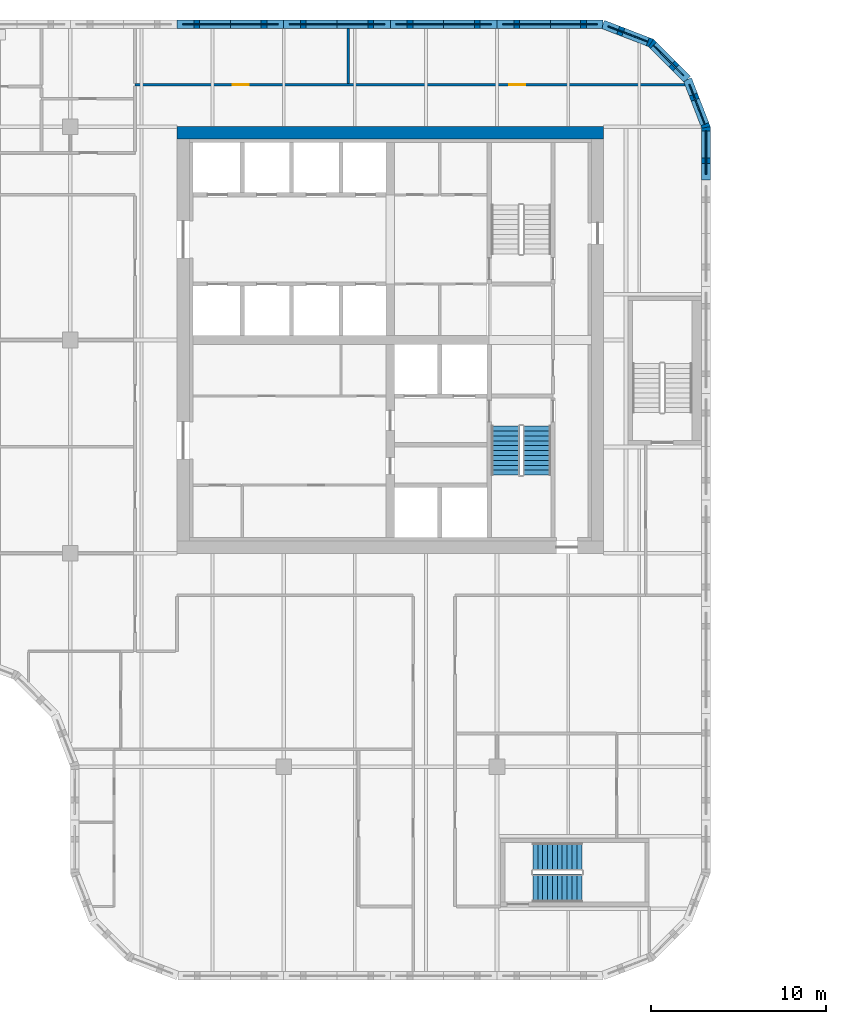
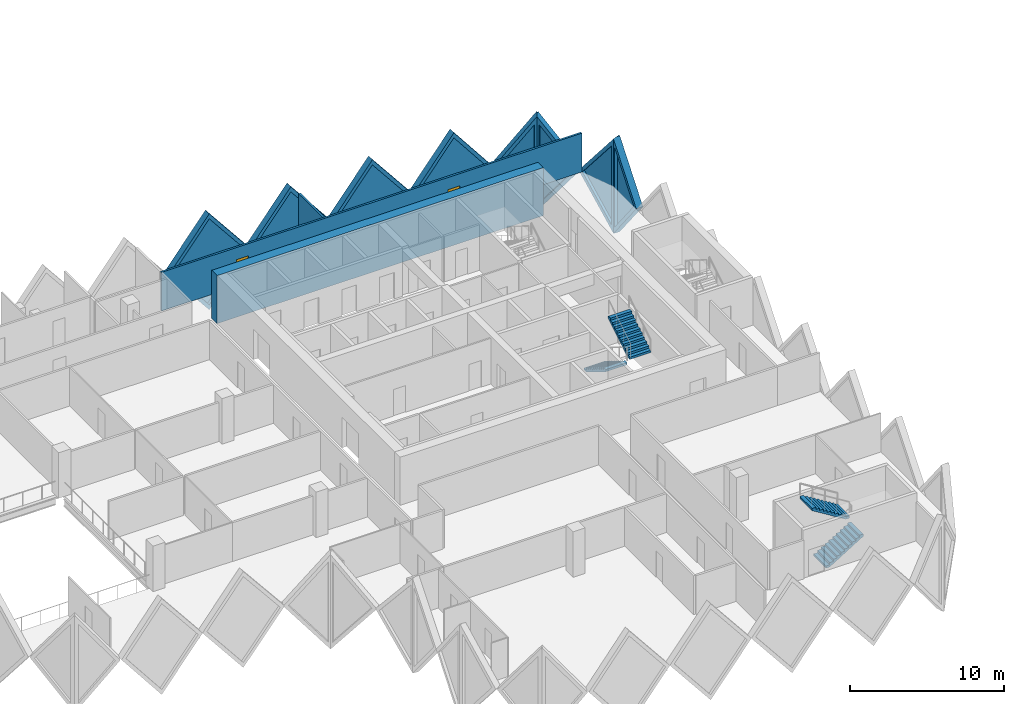
# One storey, part 10 of 13: 11 walls, 8 plates, 4 stair flights, 2 doors, 10 openings, 2 elements without a shape of their own.
"""IFC4 building model written with IfcOpenShell, lengths in metres."""

from ifc_helpers import new_model, si_unit, direction, frame, frame_2d, origin, place, context, subcontext, project, spatial, polyline, rectangle, outline, extrude, faceted_brep, source, transform, mapped, material, layer, layer_set, type_object, element, fill, aggregate, save


model = new_model("IFC4")

# Units and contexts
model_context = context("Model", 3, precision=1e-05, world=origin(), true_north=direction((0.0, 1.0)))
body_context = subcontext(model_context, "Body", "Model", "MODEL_VIEW")
ifc_project = project(units=[si_unit("LENGTHUNIT", "METRE"), si_unit("AREAUNIT", "SQUARE_METRE"), si_unit("VOLUMEUNIT", "CUBIC_METRE"), si_unit("PLANEANGLEUNIT", "RADIAN"), si_unit("MASSUNIT", "GRAM", prefix="KILO")], contexts=[model_context])

# Site, building, storey
site_placement = place(None, origin())
site = spatial("IfcSite", under=ifc_project, at=site_placement, CompositionType="ELEMENT")
building_placement = place(site_placement, origin())
building = spatial("IfcBuilding", under=site, at=building_placement, Name="Tessera Gate Towers", CompositionType="ELEMENT")
storey_placement = place(building_placement, frame((0.0, 0.0, 116.39990234375)))
storey = spatial("IfcBuildingStorey", under=building, at=storey_placement, Name="L28", CompositionType="ELEMENT", Elevation=116.39990234375)

# Wall
ifc_material_1 = material(Name="Concrete C60/75", Category="concrete")
ifc_layer_1 = layer(ifc_material_1, 0.699951171875)
ifc_layer_set_1 = layer_set([ifc_layer_1], Name="CORE SHEAR WALL 700 C60/75")
wall_type_1 = type_object("IfcWallType", Name="CORE SHEAR WALL 700 C60/75", PredefinedType="SHEAR", material=ifc_layer_set_1)
wall_1_placement = place(storey_placement, frame((30.5, 48.449951171875, 0.0), z_axis=(0.0, 0.0, 1.0), x_axis=(1.0, 0.0, 0.0)))
element("IfcWall", 1, at=wall_1_placement, inside=storey, type_object=wall_type_1, Name="Core wall N L28", PredefinedType="SHEAR", context=body_context, shape_type="SweptSolid", body=[
    extrude(rectangle(XDim=24.39990234375, YDim=0.699951171875, at=frame_2d((12.199951171875, 0.0))), origin(), (0.0, 0.0, 1.0), 3.800048828125),
])

# Wall, openings, doors
ifc_material_2 = material(Name="Gypsum board on steel studs, mineral wool", Category="steel")
ifc_layer_2 = layer(ifc_material_2, 0.14990234375)
ifc_layer_set_2 = layer_set([ifc_layer_2], Name="CORRIDOR WALL 150")
wall_type_2 = type_object("IfcWallType", Name="CORRIDOR WALL 150", PredefinedType="PARTITIONING", material=ifc_layer_set_2)
wall_2_placement = place(storey_placement, frame((28.10009765625, 51.199951171875, 0.0), z_axis=(0.0, 0.0, 1.0), x_axis=(1.0, 0.0, 0.0)))
wall_2 = element("IfcWall", 2, at=wall_2_placement, inside=storey, type_object=wall_type_2, Name="T1-L28-PW-055", PredefinedType="PARTITIONING", context=body_context, shape_type="SweptSolid", body=[
    extrude(rectangle(XDim=31.438232421875, YDim=0.14990234375, at=frame_2d((15.71923828125, 0.0))), origin(), (0.0, 0.0, 1.0), 3.067138671875),
])
shared_shape_1 = source(origin(), body_context, "Body", "SweptSolid", [
    extrude(rectangle(XDim=0.89990234375, YDim=2.10009765625, at=frame_2d((0.449951171875, 1.050048828125))), frame((0.0, 0.0849609375, 0.0), z_axis=(0.0, -1.0, 0.0), x_axis=(1.0, 0.0, 0.0)), (0.0, 0.0, 1.0), 0.169921875),
])
opening_1_placement = place(wall_2_placement, frame((5.60009765625, 0.0, 0.0)))
opening_1 = element("IfcOpeningElement", 3, at=opening_1_placement, cuts=wall_2, Name="Opening D890FD60-A10-08", PredefinedType="OPENING", context=body_context, shape_type="MappedRepresentation", body=[
    mapped(shared_shape_1, transform((0.0, 0.0, 0.0), scale=1.0)),
])
opening_2_placement = place(wall_2_placement, frame((21.39990234375, 0.0, 0.0)))
opening_2 = element("IfcOpeningElement", 4, at=opening_2_placement, cuts=wall_2, Name="Opening D890FD60-A10-09", PredefinedType="OPENING", context=body_context, shape_type="MappedRepresentation", body=[
    mapped(shared_shape_1, transform((0.0, 0.0, 0.0), scale=1.0)),
])
ifc_material_3 = material(Name="Timber door leaf in steel frame", Category="steel")
door_type = type_object("IfcDoorType", Name="CORRIDOR DOOR 900 FD60", OperationType="NOTDEFINED", PredefinedType="DOOR", material=ifc_material_3)
shared_shape_2 = source(origin(), body_context, "Body", "SweptSolid", [
    extrude(rectangle(XDim=0.89990234375, YDim=2.10009765625, at=frame_2d((0.449951171875, 1.050048828125))), frame((0.0, 0.02490234375, 0.0), z_axis=(0.0, -1.0, 0.0), x_axis=(1.0, 0.0, 0.0)), (0.0, 0.0, 1.0), 0.050048828125),
])
door_1_placement = place(opening_1_placement, origin())
door_1 = element("IfcDoor", 5, at=door_1_placement, inside=storey, type_object=door_type, Name="T1-L28-PD-027", OperationType="SINGLE_SWING_LEFT", OverallHeight=2.10009765625, OverallWidth=0.89990234375, PredefinedType="DOOR", context=body_context, shape_type="MappedRepresentation", body=[
    mapped(shared_shape_2, transform((0.0, 0.0, 0.0), scale=1.0)),
])
fill(opening_1, door_1)
door_2_placement = place(opening_2_placement, origin())
door_2 = element("IfcDoor", 6, at=door_2_placement, inside=storey, type_object=door_type, Name="T1-L28-PD-028", OperationType="SINGLE_SWING_LEFT", OverallHeight=2.10009765625, OverallWidth=0.89990234375, PredefinedType="DOOR", context=body_context, shape_type="MappedRepresentation", body=[
    mapped(shared_shape_2, transform((0.0, 0.0, 0.0), scale=1.0)),
])
fill(opening_2, door_2)

# Wall
ifc_material_4 = material(Name="Gypsum board on steel studs, mineral wool", Category="steel")
ifc_layer_3 = layer(ifc_material_4, 0.14990234375)
ifc_layer_set_3 = layer_set([ifc_layer_3], Name="TENANCY WALL 150")
wall_type_3 = type_object("IfcWallType", Name="TENANCY WALL 150", PredefinedType="PARTITIONING", material=ifc_layer_set_3)
wall_3_placement = place(storey_placement, frame((40.300048828125, 51.27587890625, 0.0), z_axis=(0.0, 0.0, 1.0), x_axis=(0.0, 1.0, 0.0)))
element("IfcWall", 7, at=wall_3_placement, inside=storey, type_object=wall_type_3, Name="T1-L28-PW-057", PredefinedType="PARTITIONING", context=body_context, shape_type="SweptSolid", body=[
    extrude(rectangle(XDim=3.1240234375, YDim=0.14990234375, at=frame_2d((1.56201171875, 0.0))), origin(), (0.0, 0.0, 1.0), 3.067138671875),
])

# Wall, opening, plate
ifc_material_5 = material(Name="Precast concrete C60/75 white", Category="concrete")
ifc_layer_4 = layer(ifc_material_5, 0.5)
ifc_layer_set_4 = layer_set([ifc_layer_4], Name="TS1 tessera")
wall_type_4 = type_object("IfcWallType", Name="TS1 tessera", PredefinedType="SOLIDWALL", material=ifc_layer_set_4)
shared_shape_3 = source(origin(), body_context, "Body", "Brep", [
    faceted_brep([(3.050048828125, -0.25, 0.0), (6.099853515625, -0.25, 3.799560546875), (6.099853515625, -0.25, 3.800048828125), (3.050048828125, -0.25, 7.599853515625), (0.0, -0.25, 3.7998046875), (0.0, 0.25, 3.7998046875), (3.050048828125, 0.25, 7.599853515625), (6.099853515625, 0.25, 3.800048828125), (6.099853515625, 0.25, 3.799560546875), (3.050048828125, 0.25, 0.0)], [[[0, 1, 2, 3, 4]], [[5, 6, 7, 8, 9]], [[9, 8, 1, 0]], [[7, 6, 3, 2]], [[6, 5, 4, 3]], [[5, 9, 0, 4]], [[1, 8, 7, 2]]]),
])
wall_4_placement = place(storey_placement, frame((42.699951171875, 54.64990234375, -3.7998046875), z_axis=(0.0, 0.0, 1.0), x_axis=(-1.0, 0.0, 0.0)))
wall_4 = element("IfcWall", 8, at=wall_4_placement, inside=storey, type_object=wall_type_4, Name="Precast tessera T1 TS1-0449", PredefinedType="SOLIDWALL", context=body_context, shape_type="MappedRepresentation", body=[
    mapped(shared_shape_3, transform((0.0, 0.0, 0.0), scale=1.0)),
])
shared_shape_4 = source(origin(), body_context, "Body", "SweptSolid", [
    extrude(outline(polyline([(3.050048828125, 0.3994140625), (5.779541015625, 3.7998046875), (3.050048828125, 7.200439453125), (0.320556640625, 3.7998046875), (3.050048828125, 0.3994140625)])), frame((0.0, 0.260009765625, 0.0), z_axis=(0.0, -1.0, 0.0), x_axis=(1.0, 0.0, 0.0)), (0.0, 0.0, 1.0), 0.52001953125),
])
opening_3_placement = place(wall_4_placement, origin())
opening_3 = element("IfcOpeningElement", 9, at=opening_3_placement, cuts=wall_4, Name="Opening T1-PL2-0913", PredefinedType="OPENING", context=body_context, shape_type="MappedRepresentation", body=[
    mapped(shared_shape_4, transform((0.0, 0.0, 0.0), scale=1.0)),
])
ifc_material_6 = material(Name="Low-e laminated glass", Category="glass")
ifc_layer_5 = layer(ifc_material_6, 0.06005859375)
ifc_layer_set_5 = layer_set([ifc_layer_5], Name="PL2 rhombic pane")
plate_type = type_object("IfcPlateType", Name="PL2 rhombic pane", PredefinedType="SHEET", material=ifc_layer_set_5)
shared_shape_5 = source(origin(), body_context, "Body", "SweptSolid", [
    extrude(outline(polyline([(3.050048828125, 0.3994140625), (5.779541015625, 3.7998046875), (3.050048828125, 7.200439453125), (0.320556640625, 3.7998046875), (3.050048828125, 0.3994140625)])), frame((0.0, 0.030029296875, 0.0), z_axis=(0.0, -1.0, 0.0), x_axis=(1.0, 0.0, 0.0)), (0.0, 0.0, 1.0), 0.06005859375),
])
plate_1_placement = place(opening_3_placement, origin())
plate_1 = element("IfcPlate", 10, at=plate_1_placement, inside=storey, type_object=plate_type, Name="Glass pane T1 PL2-0913", PredefinedType="SHEET", context=body_context, shape_type="MappedRepresentation", body=[
    mapped(shared_shape_5, transform((0.0, 0.0, 0.0), scale=1.0)),
])
fill(opening_3, plate_1)

shared_shape_6 = source(origin(), body_context, "Body", "SweptSolid", [
    extrude(outline(polyline([(3.050048828125, 0.0), (6.10009765625, 3.7998046875), (3.050048828125, 7.599853515625), (0.0, 3.7998046875), (3.050048828125, 0.0)])), frame((0.0, 0.25, 0.0), z_axis=(0.0, -1.0, 0.0), x_axis=(1.0, 0.0, 0.0)), (0.0, 0.0, 1.0), 0.5),
])
wall_5_placement = place(storey_placement, frame((48.800048828125, 54.64990234375, -3.7998046875), z_axis=(0.0, 0.0, 1.0), x_axis=(-1.0, 0.0, 0.0)))
wall_5 = element("IfcWall", 11, at=wall_5_placement, inside=storey, type_object=wall_type_4, Name="Precast tessera T1 TS1-0448", PredefinedType="SOLIDWALL", context=body_context, shape_type="MappedRepresentation", body=[
    mapped(shared_shape_6, transform((0.0, 0.0, 0.0), scale=1.0)),
])
opening_4_placement = place(wall_5_placement, origin())
opening_4 = element("IfcOpeningElement", 12, at=opening_4_placement, cuts=wall_5, Name="Opening T1-PL2-0912", PredefinedType="OPENING", context=body_context, shape_type="MappedRepresentation", body=[
    mapped(shared_shape_4, transform((0.0, 0.0, 0.0), scale=1.0)),
])
plate_2_placement = place(opening_4_placement, origin())
plate_2 = element("IfcPlate", 13, at=plate_2_placement, inside=storey, type_object=plate_type, Name="Glass pane T1 PL2-0912", PredefinedType="SHEET", context=body_context, shape_type="MappedRepresentation", body=[
    mapped(shared_shape_5, transform((0.0, 0.0, 0.0), scale=1.0)),
])
fill(opening_4, plate_2)

wall_6_placement = place(storey_placement, frame((36.60009765625, 54.64990234375, -3.7998046875), z_axis=(0.0, 0.0, 1.0), x_axis=(-1.0, 0.0, 0.0)))
wall_6 = element("IfcWall", 14, at=wall_6_placement, inside=storey, type_object=wall_type_4, Name="Precast tessera T1 TS1-0450", PredefinedType="SOLIDWALL", context=body_context, shape_type="MappedRepresentation", body=[
    mapped(shared_shape_6, transform((0.0, 0.0, 0.0), scale=1.0)),
])
opening_5_placement = place(wall_6_placement, origin())
opening_5 = element("IfcOpeningElement", 15, at=opening_5_placement, cuts=wall_6, Name="Opening T1-PL2-0914", PredefinedType="OPENING", context=body_context, shape_type="MappedRepresentation", body=[
    mapped(shared_shape_4, transform((0.0, 0.0, 0.0), scale=1.0)),
])
plate_3_placement = place(opening_5_placement, origin())
plate_3 = element("IfcPlate", 16, at=plate_3_placement, inside=storey, type_object=plate_type, Name="Glass pane T1 PL2-0914", PredefinedType="SHEET", context=body_context, shape_type="MappedRepresentation", body=[
    mapped(shared_shape_5, transform((0.0, 0.0, 0.0), scale=1.0)),
])
fill(opening_5, plate_3)

ifc_material_7 = material(Name="Precast concrete C60/75 white", Category="concrete")
ifc_layer_6 = layer(ifc_material_7, 0.5)
ifc_layer_set_6 = layer_set([ifc_layer_6], Name="TS3 corner tessera")
wall_type_5 = type_object("IfcWallType", Name="TS3 corner tessera", PredefinedType="SOLIDWALL", material=ifc_layer_set_6)
shared_shape_7 = source(origin(), body_context, "Body", "Brep", [
    faceted_brep([(3.00341796875, -0.25, 0.0), (3.050048828125, -0.25, 0.06005859375), (3.050048828125, -0.25, 7.539794921875), (3.00341796875, -0.25, 7.599853515625), (0.0, -0.25, 3.7998046875), (0.0, 0.25, 3.7998046875), (2.956787109375, 0.25, 7.541015625), (2.956787109375, 0.25, 0.058837890625), (3.00341796875, 0.000244140625, 0.0), (3.00341796875, 0.000244140625, 7.599853515625)], [[[0, 1, 2, 3, 4]], [[5, 6, 7]], [[1, 0, 8]], [[9, 3, 2]], [[6, 5, 4, 3, 9]], [[5, 7, 8, 0, 4]], [[1, 8, 7, 6, 9, 2]]]),
])
wall_7_placement = place(storey_placement, frame((60.75, 45.75, -3.7998046875), z_axis=(0.0, 0.0, 1.0), x_axis=(0.0, 1.0, 0.0)))
wall_7 = element("IfcWall", 17, at=wall_7_placement, inside=storey, type_object=wall_type_5, Name="Precast corner tessera T1 TS3-0629", PredefinedType="SOLIDWALL", context=body_context, shape_type="MappedRepresentation", body=[
    mapped(shared_shape_7, transform((0.0, 0.0, 0.0), scale=1.0)),
])
shared_shape_8 = source(origin(), body_context, "Body", "SweptSolid", [
    extrude(outline(polyline([(2.803466796875, 6.943603515625), (0.318603515625, 3.7998046875), (2.803466796875, 0.656005859375), (2.803466796875, 6.943603515625)])), frame((0.0, 0.260009765625, 0.0), z_axis=(0.0, -1.0, 0.0), x_axis=(1.0, 0.0, 0.0)), (0.0, 0.0, 1.0), 0.52001953125),
])
opening_6_placement = place(wall_7_placement, origin())
opening_6 = element("IfcOpeningElement", 18, at=opening_6_placement, cuts=wall_7, Name="Opening T1-PL2-0907", PredefinedType="OPENING", context=body_context, shape_type="MappedRepresentation", body=[
    mapped(shared_shape_8, transform((0.0, 0.0, 0.0), scale=1.0)),
])
shared_shape_9 = source(origin(), body_context, "Body", "SweptSolid", [
    extrude(outline(polyline([(2.803466796875, 6.943603515625), (0.318603515625, 3.7998046875), (2.803466796875, 0.656005859375), (2.803466796875, 6.943603515625)])), frame((0.0, 0.030029296875, 0.0), z_axis=(0.0, -1.0, 0.0), x_axis=(1.0, 0.0, 0.0)), (0.0, 0.0, 1.0), 0.06005859375),
])
plate_4_placement = place(opening_6_placement, origin())
plate_4 = element("IfcPlate", 19, at=plate_4_placement, inside=storey, type_object=plate_type, Name="Glass pane T1 PL2-0907", PredefinedType="SHEET", context=body_context, shape_type="MappedRepresentation", body=[
    mapped(shared_shape_9, transform((0.0, 0.0, 0.0), scale=1.0)),
])
fill(opening_6, plate_4)

shared_shape_10 = source(origin(), body_context, "Body", "Brep", [
    faceted_brep([(0.046630859375, -0.25, 0.0), (2.9970703125, -0.25, 3.7998046875), (0.046630859375, -0.25, 7.599853515625), (0.0, -0.25, 7.541015625), (0.0, -0.25, 0.058837890625), (0.09326171875, 0.25, 7.539794921875), (2.9443359375, 0.25, 3.867919921875), (2.9443359375, 0.25, 3.731689453125), (0.09326171875, 0.25, 0.06005859375), (2.9970703125, 0.00048828125, 3.7998046875), (0.046630859375, 0.0, 0.0), (0.046630859375, 0.0, 7.599853515625)], [[[0, 1, 2, 3, 4]], [[5, 6, 7, 8]], [[8, 7, 9, 1, 0, 10]], [[6, 5, 11, 2, 1, 9]], [[3, 2, 11]], [[10, 0, 4]], [[8, 10, 4, 3, 11, 5]], [[9, 7, 6]]]),
])
wall_8_placement = place(storey_placement, frame((60.766845703125, 48.7099609375, -3.7998046875), z_axis=(0.0, 0.0, 1.0), x_axis=(-0.359901446078, 0.932990326376, 0.0)))
wall_8 = element("IfcWall", 20, at=wall_8_placement, inside=storey, type_object=wall_type_5, Name="Precast corner tessera T1 TS3-0630", PredefinedType="SOLIDWALL", context=body_context, shape_type="MappedRepresentation", body=[
    mapped(shared_shape_10, transform((0.0, 0.0, 0.0), scale=1.0)),
])
shared_shape_11 = source(origin(), body_context, "Body", "SweptSolid", [
    extrude(outline(polyline([(0.24658203125, 0.6650390625), (2.6806640625, 3.7998046875), (0.24658203125, 6.9345703125), (0.24658203125, 0.6650390625)])), frame((0.0, 0.260009765625, 0.0), z_axis=(0.0, -1.0, 0.0), x_axis=(1.0, 0.0, 0.0)), (0.0, 0.0, 1.0), 0.52001953125),
])
opening_7_placement = place(wall_8_placement, origin())
opening_7 = element("IfcOpeningElement", 21, at=opening_7_placement, cuts=wall_8, Name="Opening T1-PL2-0908", PredefinedType="OPENING", context=body_context, shape_type="MappedRepresentation", body=[
    mapped(shared_shape_11, transform((0.0, 0.0, 0.0), scale=1.0)),
])
shared_shape_12 = source(origin(), body_context, "Body", "SweptSolid", [
    extrude(outline(polyline([(0.24658203125, 0.6650390625), (2.6806640625, 3.7998046875), (0.24658203125, 6.9345703125), (0.24658203125, 0.6650390625)])), frame((0.0, 0.030029296875, 0.0), z_axis=(0.0, -1.0, 0.0), x_axis=(1.0, 0.0, 0.0)), (0.0, 0.0, 1.0), 0.06005859375),
])
plate_5_placement = place(opening_7_placement, origin())
plate_5 = element("IfcPlate", 22, at=plate_5_placement, inside=storey, type_object=plate_type, Name="Glass pane T1 PL2-0908", PredefinedType="SHEET", context=body_context, shape_type="MappedRepresentation", body=[
    mapped(shared_shape_12, transform((0.0, 0.0, 0.0), scale=1.0)),
])
fill(opening_7, plate_5)

shared_shape_13 = source(origin(), body_context, "Body", "Brep", [
    faceted_brep([(3.00341796875, -0.25, 0.0), (6.053466796875, -0.25, 3.7998046875), (3.00341796875, -0.25, 7.599853515625), (0.0, -0.25, 3.7998046875), (0.046630859375, 0.25, 3.858642578125), (3.00341796875, 0.25, 7.599853515625), (6.053466796875, 0.25, 3.7998046875), (3.00341796875, 0.25, 0.0), (0.046630859375, 0.25, 3.740966796875), (0.0, 0.0, 3.7998046875)], [[[0, 1, 2, 3]], [[4, 5, 6, 7, 8]], [[7, 6, 1, 0]], [[6, 5, 2, 1]], [[5, 4, 9, 3, 2]], [[8, 7, 0, 3, 9]], [[8, 9, 4]]]),
])
wall_9_placement = place(storey_placement, frame((54.853515625, 54.64990234375, -3.7998046875), z_axis=(0.0, 0.0, 1.0), x_axis=(-1.0, 0.0, 0.0)))
wall_9 = element("IfcWall", 23, at=wall_9_placement, inside=storey, type_object=wall_type_4, Name="Precast tessera T1 TS1-0447", PredefinedType="SOLIDWALL", context=body_context, shape_type="MappedRepresentation", body=[
    mapped(shared_shape_13, transform((0.0, 0.0, 0.0), scale=1.0)),
])
shared_shape_14 = source(origin(), body_context, "Body", "SweptSolid", [
    extrude(outline(polyline([(3.0048828125, 0.401123046875), (5.73291015625, 3.7998046875), (3.0048828125, 7.19873046875), (0.318603515625, 3.7998046875), (3.0048828125, 0.401123046875)])), frame((0.0, 0.260009765625, 0.0), z_axis=(0.0, -1.0, 0.0), x_axis=(1.0, 0.0, 0.0)), (0.0, 0.0, 1.0), 0.52001953125),
])
opening_8_placement = place(wall_9_placement, origin())
opening_8 = element("IfcOpeningElement", 24, at=opening_8_placement, cuts=wall_9, Name="Opening T1-PL2-0911", PredefinedType="OPENING", context=body_context, shape_type="MappedRepresentation", body=[
    mapped(shared_shape_14, transform((0.0, 0.0, 0.0), scale=1.0)),
])
shared_shape_15 = source(origin(), body_context, "Body", "SweptSolid", [
    extrude(outline(polyline([(3.0048828125, 0.401123046875), (5.73291015625, 3.7998046875), (3.0048828125, 7.19873046875), (0.318603515625, 3.7998046875), (3.0048828125, 0.401123046875)])), frame((0.0, 0.030029296875, 0.0), z_axis=(0.0, -1.0, 0.0), x_axis=(1.0, 0.0, 0.0)), (0.0, 0.0, 1.0), 0.06005859375),
])
plate_6_placement = place(opening_8_placement, origin())
plate_6 = element("IfcPlate", 25, at=plate_6_placement, inside=storey, type_object=plate_type, Name="Glass pane T1 PL2-0911", PredefinedType="SHEET", context=body_context, shape_type="MappedRepresentation", body=[
    mapped(shared_shape_15, transform((0.0, 0.0, 0.0), scale=1.0)),
])
fill(opening_8, plate_6)

shared_shape_16 = source(origin(), body_context, "Body", "Brep", [
    faceted_brep([(2.944091796875, -0.25, 0.0), (2.9970703125, -0.25, 0.068115234375), (2.9970703125, -0.25, 7.53173828125), (2.944091796875, -0.25, 7.599853515625), (0.0, -0.25, 3.7998046875), (0.052978515625, 0.25, 3.8681640625), (2.89111328125, 0.25, 7.53173828125), (2.89111328125, 0.25, 0.068115234375), (0.052978515625, 0.25, 3.7314453125), (2.944091796875, 0.000244140625, 0.0), (2.944091796875, 0.000244140625, 7.599853515625), (0.0, 0.0, 3.7998046875)], [[[0, 1, 2, 3, 4]], [[5, 6, 7, 8]], [[1, 0, 9]], [[10, 3, 2]], [[6, 5, 11, 4, 3, 10]], [[8, 7, 9, 0, 4, 11]], [[8, 11, 5]], [[1, 9, 7, 6, 10, 2]]]),
])
wall_10_placement = place(storey_placement, frame((59.68798828125, 51.50634765625, -3.7998046875), z_axis=(0.0, 0.0, 1.0), x_axis=(-0.707106781187, 0.707106781187, 0.0)))
wall_10 = element("IfcWall", 26, at=wall_10_placement, inside=storey, type_object=wall_type_5, Name="Precast corner tessera T1 TS3-0631", PredefinedType="SOLIDWALL", context=body_context, shape_type="MappedRepresentation", body=[
    mapped(shared_shape_16, transform((0.0, 0.0, 0.0), scale=1.0)),
])
shared_shape_17 = source(origin(), body_context, "Body", "SweptSolid", [
    extrude(outline(polyline([(2.744140625, 6.93359375), (0.316162109375, 3.7998046875), (2.744140625, 0.666259765625), (2.744140625, 6.93359375)])), frame((0.0, 0.260009765625, 0.0), z_axis=(0.0, -1.0, 0.0), x_axis=(1.0, 0.0, 0.0)), (0.0, 0.0, 1.0), 0.52001953125),
])
opening_9_placement = place(wall_10_placement, origin())
opening_9 = element("IfcOpeningElement", 27, at=opening_9_placement, cuts=wall_10, Name="Opening T1-PL2-0909", PredefinedType="OPENING", context=body_context, shape_type="MappedRepresentation", body=[
    mapped(shared_shape_17, transform((0.0, 0.0, 0.0), scale=1.0)),
])
shared_shape_18 = source(origin(), body_context, "Body", "SweptSolid", [
    extrude(outline(polyline([(2.744140625, 6.93359375), (0.316162109375, 3.7998046875), (2.744140625, 0.666259765625), (2.744140625, 6.93359375)])), frame((0.0, 0.030029296875, 0.0), z_axis=(0.0, -1.0, 0.0), x_axis=(1.0, 0.0, 0.0)), (0.0, 0.0, 1.0), 0.06005859375),
])
plate_7_placement = place(opening_9_placement, origin())
plate_7 = element("IfcPlate", 28, at=plate_7_placement, inside=storey, type_object=plate_type, Name="Glass pane T1 PL2-0909", PredefinedType="SHEET", context=body_context, shape_type="MappedRepresentation", body=[
    mapped(shared_shape_18, transform((0.0, 0.0, 0.0), scale=1.0)),
])
fill(opening_9, plate_7)

shared_shape_19 = source(origin(), body_context, "Body", "Brep", [
    faceted_brep([(0.052978515625, -0.25, 0.0), (3.00341796875, -0.25, 3.7998046875), (0.052978515625, -0.25, 7.599853515625), (0.0, -0.25, 7.531494140625), (0.0, -0.25, 0.068359375), (0.10595703125, 0.25, 7.53173828125), (2.95703125, 0.25, 3.859619140625), (2.95703125, 0.25, 3.739990234375), (0.10595703125, 0.25, 0.068115234375), (3.00341796875, 0.00048828125, 3.7998046875), (0.052978515625, 0.0, 0.0), (0.052978515625, 0.0, 7.599853515625)], [[[0, 1, 2, 3, 4]], [[5, 6, 7, 8]], [[8, 7, 9, 1, 0, 10]], [[6, 5, 11, 2, 1, 9]], [[3, 2, 11]], [[10, 0, 4]], [[8, 10, 4, 3, 11, 5]], [[9, 7, 6]]]),
])
wall_11_placement = place(storey_placement, frame((57.65576171875, 53.569091796875, -3.7998046875), z_axis=(0.0, 0.0, 1.0), x_axis=(-0.933007896601, 0.359855894603, 0.0)))
wall_11 = element("IfcWall", 29, at=wall_11_placement, inside=storey, type_object=wall_type_5, Name="Precast corner tessera T1 TS3-0632", PredefinedType="SOLIDWALL", context=body_context, shape_type="MappedRepresentation", body=[
    mapped(shared_shape_19, transform((0.0, 0.0, 0.0), scale=1.0)),
])
shared_shape_20 = source(origin(), body_context, "Body", "SweptSolid", [
    extrude(outline(polyline([(0.2529296875, 0.6650390625), (2.68701171875, 3.7998046875), (0.2529296875, 6.9345703125), (0.2529296875, 0.6650390625)])), frame((0.0, 0.260009765625, 0.0), z_axis=(0.0, -1.0, 0.0), x_axis=(1.0, 0.0, 0.0)), (0.0, 0.0, 1.0), 0.52001953125),
])
opening_10_placement = place(wall_11_placement, origin())
opening_10 = element("IfcOpeningElement", 30, at=opening_10_placement, cuts=wall_11, Name="Opening T1-PL2-0910", PredefinedType="OPENING", context=body_context, shape_type="MappedRepresentation", body=[
    mapped(shared_shape_20, transform((0.0, 0.0, 0.0), scale=1.0)),
])
shared_shape_21 = source(origin(), body_context, "Body", "SweptSolid", [
    extrude(outline(polyline([(0.2529296875, 0.6650390625), (2.68701171875, 3.7998046875), (0.2529296875, 6.9345703125), (0.2529296875, 0.6650390625)])), frame((0.0, 0.030029296875, 0.0), z_axis=(0.0, -1.0, 0.0), x_axis=(1.0, 0.0, 0.0)), (0.0, 0.0, 1.0), 0.06005859375),
])
plate_8_placement = place(opening_10_placement, origin())
plate_8 = element("IfcPlate", 31, at=plate_8_placement, inside=storey, type_object=plate_type, Name="Glass pane T1 PL2-0910", PredefinedType="SHEET", context=body_context, shape_type="MappedRepresentation", body=[
    mapped(shared_shape_21, transform((0.0, 0.0, 0.0), scale=1.0)),
])
fill(opening_10, plate_8)

# Stair, stair flights
ifc_material_8 = material(Name="Concrete C40/50", Category="concrete")
stair_type_1 = type_object("IfcStairType", Name="EXIT STAIR ST1 1600", PredefinedType="HALF_TURN_STAIR", material=ifc_material_8)
stair_1_placement = place(storey_placement, origin())
stair_1 = element("IfcStair", 32, at=stair_1_placement, inside=storey, type_object=stair_type_1, Name="L28 Protected Exit Stair ST1", PredefinedType="HALF_TURN_STAIR")
ifc_material_9 = material(Name="Concrete C40/50", Category="concrete")
stair_flight_type_1 = type_object("IfcStairFlightType", Name="EXIT STAIR FLIGHT ST1 1600", PredefinedType="STRAIGHT", material=ifc_material_9)
stair_flight_1_placement = place(storey_placement, frame((49.27490234375, 31.675048828125, 0.0), z_axis=(0.0, 0.0, 1.0), x_axis=(0.0, -1.0, 0.0)))
stair_flight_1 = element("IfcStairFlight", 33, at=stair_flight_1_placement, type_object=stair_flight_type_1, Name="ST1 flight 1", NumberOfRisers=11, NumberOfTreads=10, PredefinedType="STRAIGHT", RiserHeight=0.172727273, TreadLength=0.28, context=body_context, shape_type="SweptSolid", body=[
    extrude(outline(polyline([(0.0, 0.0), (0.0, 0.172607421875), (0.280029296875, 0.172607421875), (0.280029296875, 0.345458984375), (0.56005859375, 0.345458984375), (0.56005859375, 0.51806640625), (0.840087890625, 0.51806640625), (0.840087890625, 0.69091796875), (1.1201171875, 0.69091796875), (1.1201171875, 0.863525390625), (1.39990234375, 0.863525390625), (1.39990234375, 1.036376953125), (1.679931640625, 1.036376953125), (1.679931640625, 1.208984375), (1.9599609375, 1.208984375), (1.9599609375, 1.3818359375), (2.239990234375, 1.3818359375), (2.239990234375, 1.554443359375), (2.52001953125, 1.554443359375), (2.52001953125, 1.727294921875), (2.800048828125, 1.727294921875), (2.800048828125, 1.89990234375), (2.800048828125, 1.551025390625), (0.285400390625, 0.0), (0.0, 0.0)])), frame((0.0, 0.800048828125, 0.0), z_axis=(0.0, -1.0, 0.0), x_axis=(1.0, 0.0, 0.0)), (0.0, 0.0, 1.0), 1.60009765625),
])
stair_flight_2_placement = place(storey_placement, frame((51.074951171875, 28.875, 1.900146484375), z_axis=(0.0, 0.0, 1.0), x_axis=(0.0, 1.0, 0.0)))
stair_flight_2 = element("IfcStairFlight", 34, at=stair_flight_2_placement, type_object=stair_flight_type_1, Name="ST1 flight 2", NumberOfRisers=11, NumberOfTreads=10, PredefinedType="STRAIGHT", RiserHeight=0.172727273, TreadLength=0.28, context=body_context, shape_type="SweptSolid", body=[
    extrude(outline(polyline([(0.0, 0.0), (0.0, 0.172607421875), (0.280029296875, 0.172607421875), (0.280029296875, 0.345458984375), (0.56005859375, 0.345458984375), (0.56005859375, 0.51806640625), (0.840087890625, 0.51806640625), (0.840087890625, 0.69091796875), (1.1201171875, 0.69091796875), (1.1201171875, 0.863525390625), (1.39990234375, 0.863525390625), (1.39990234375, 1.036376953125), (1.679931640625, 1.036376953125), (1.679931640625, 1.208984375), (1.9599609375, 1.208984375), (1.9599609375, 1.3818359375), (2.239990234375, 1.3818359375), (2.239990234375, 1.554443359375), (2.52001953125, 1.554443359375), (2.52001953125, 1.727294921875), (2.800048828125, 1.727294921875), (2.800048828125, 1.89990234375), (2.800048828125, 1.551025390625), (0.285400390625, 0.0), (0.0, 0.0)])), frame((0.0, 0.800048828125, 0.0), z_axis=(0.0, -1.0, 0.0), x_axis=(1.0, 0.0, 0.0)), (0.0, 0.0, 1.0), 1.60009765625),
])
aggregate(stair_1, [stair_flight_1, stair_flight_2])

ifc_material_10 = material(Name="Concrete C40/50", Category="concrete")
stair_type_2 = type_object("IfcStairType", Name="EXIT STAIR ST4 1600", PredefinedType="HALF_TURN_STAIR", material=ifc_material_10)
stair_2_placement = place(storey_placement, origin())
stair_2 = element("IfcStair", 35, at=stair_2_placement, inside=storey, type_object=stair_type_2, Name="L28 South Exit Stair ST4", PredefinedType="HALF_TURN_STAIR")
ifc_material_11 = material(Name="Concrete C40/50", Category="concrete")
stair_flight_type_2 = type_object("IfcStairFlightType", Name="EXIT STAIR FLIGHT ST4 1600", PredefinedType="STRAIGHT", material=ifc_material_11)
stair_flight_3_placement = place(storey_placement, frame((50.85009765625, 5.25, 0.0), z_axis=(0.0, 0.0, 1.0), x_axis=(1.0, 0.0, 0.0)))
stair_flight_3 = element("IfcStairFlight", 36, at=stair_flight_3_placement, type_object=stair_flight_type_2, Name="ST4 flight 1", NumberOfRisers=11, NumberOfTreads=10, PredefinedType="STRAIGHT", RiserHeight=0.172727273, TreadLength=0.28, context=body_context, shape_type="SweptSolid", body=[
    extrude(outline(polyline([(0.0, 0.0), (0.0, 0.172607421875), (0.280029296875, 0.172607421875), (0.280029296875, 0.345458984375), (0.56005859375, 0.345458984375), (0.56005859375, 0.51806640625), (0.840087890625, 0.51806640625), (0.840087890625, 0.69091796875), (1.1201171875, 0.69091796875), (1.1201171875, 0.863525390625), (1.39990234375, 0.863525390625), (1.39990234375, 1.036376953125), (1.679931640625, 1.036376953125), (1.679931640625, 1.208984375), (1.9599609375, 1.208984375), (1.9599609375, 1.3818359375), (2.239990234375, 1.3818359375), (2.239990234375, 1.554443359375), (2.52001953125, 1.554443359375), (2.52001953125, 1.727294921875), (2.800048828125, 1.727294921875), (2.800048828125, 1.89990234375), (2.800048828125, 1.551025390625), (0.285400390625, 0.0), (0.0, 0.0)])), frame((0.0, 0.800048828125, 0.0), z_axis=(0.0, -1.0, 0.0), x_axis=(1.0, 0.0, 0.0)), (0.0, 0.0, 1.0), 1.60009765625),
])
stair_flight_4_placement = place(storey_placement, frame((53.64990234375, 7.050048828125, 1.900146484375), z_axis=(0.0, 0.0, 1.0), x_axis=(-1.0, 0.0, 0.0)))
stair_flight_4 = element("IfcStairFlight", 37, at=stair_flight_4_placement, type_object=stair_flight_type_2, Name="ST4 flight 2", NumberOfRisers=11, NumberOfTreads=10, PredefinedType="STRAIGHT", RiserHeight=0.172727273, TreadLength=0.28, context=body_context, shape_type="SweptSolid", body=[
    extrude(outline(polyline([(0.0, 0.0), (0.0, 0.172607421875), (0.280029296875, 0.172607421875), (0.280029296875, 0.345458984375), (0.56005859375, 0.345458984375), (0.56005859375, 0.51806640625), (0.840087890625, 0.51806640625), (0.840087890625, 0.69091796875), (1.1201171875, 0.69091796875), (1.1201171875, 0.863525390625), (1.39990234375, 0.863525390625), (1.39990234375, 1.036376953125), (1.679931640625, 1.036376953125), (1.679931640625, 1.208984375), (1.9599609375, 1.208984375), (1.9599609375, 1.3818359375), (2.239990234375, 1.3818359375), (2.239990234375, 1.554443359375), (2.52001953125, 1.554443359375), (2.52001953125, 1.727294921875), (2.800048828125, 1.727294921875), (2.800048828125, 1.89990234375), (2.800048828125, 1.551025390625), (0.285400390625, 0.0), (0.0, 0.0)])), frame((0.0, 0.800048828125, 0.0), z_axis=(0.0, -1.0, 0.0), x_axis=(1.0, 0.0, 0.0)), (0.0, 0.0, 1.0), 1.60009765625),
])
aggregate(stair_2, [stair_flight_3, stair_flight_4])

save(model, "model.ifc")
